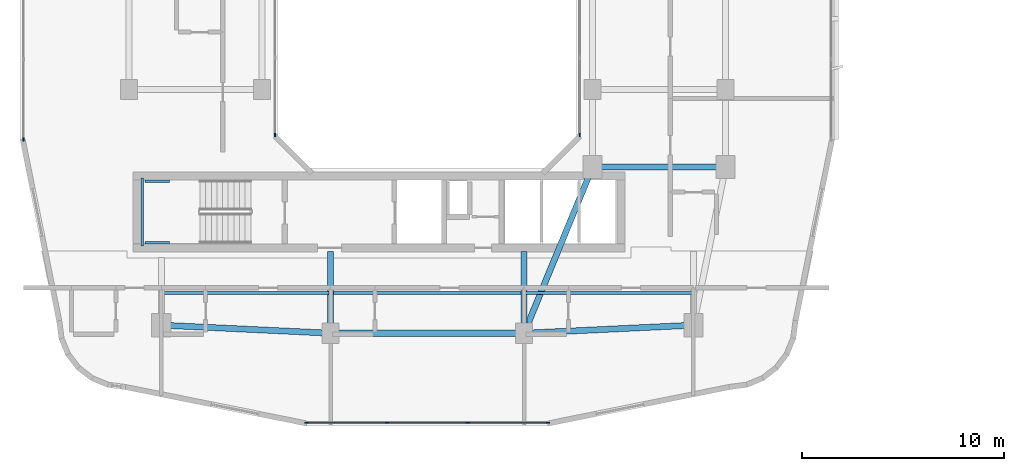
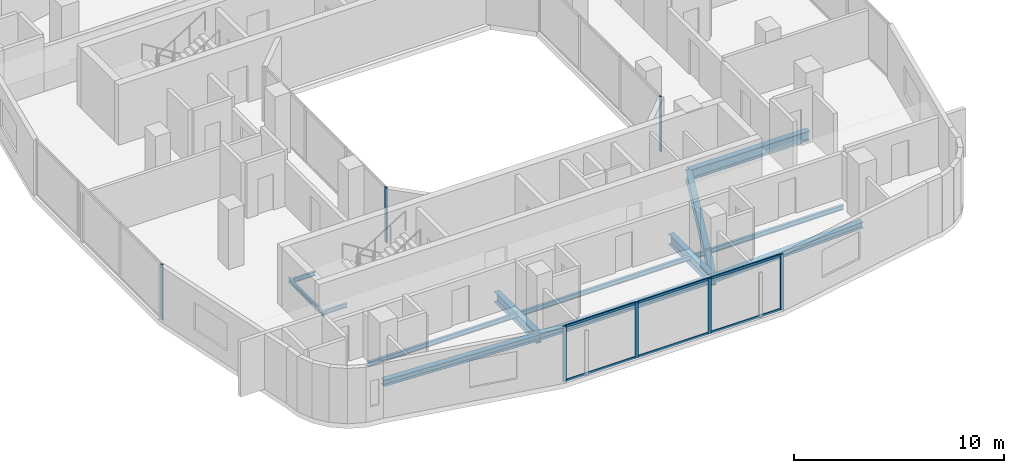
# One storey, part 2 of 26: 13 beams, 13 members, 4 elements without a shape of their own.
"""IFC4 building model written with IfcOpenShell, lengths in metres."""

from ifc_helpers import new_model, si_unit, derived_unit, direction, frame, origin, origin_2d, place, context, subcontext, project, spatial, rectangle, i_section, extrude, material, layer, layer_set, material_profile, profile_set, type_object, element, aggregate, save


model = new_model("IFC4")

# Units and contexts
model_context = context("Model", 3, precision=1e-05, world=origin(), true_north=direction((0.0, 1.0)))
body_context = subcontext(model_context, "Body", "Model", "MODEL_VIEW")
ifc_project = project(units=[si_unit("LENGTHUNIT", "METRE"), si_unit("AREAUNIT", "SQUARE_METRE"), si_unit("VOLUMEUNIT", "CUBIC_METRE"), si_unit("PLANEANGLEUNIT", "RADIAN"), si_unit("MASSUNIT", "GRAM", prefix="KILO"), derived_unit("THERMALTRANSMITTANCEUNIT", [(si_unit("POWERUNIT", "WATT"), 1), (si_unit("LENGTHUNIT", "METRE"), -2), (si_unit("THERMODYNAMICTEMPERATUREUNIT", "KELVIN"), -1)])], contexts=[model_context])

# Site, building, storey
site_placement = place(None, origin())
site = spatial("IfcSite", under=ifc_project, at=site_placement, CompositionType="ELEMENT")
building_placement = place(site_placement, origin())
building = spatial("IfcBuilding", under=site, at=building_placement, Name="Kivonza Crest Hotel", CompositionType="ELEMENT")
storey_placement = place(building_placement, frame((0.0, 0.0, 98.5)))
storey = spatial("IfcBuildingStorey", under=building, at=storey_placement, Name="L26", CompositionType="ELEMENT", Elevation=98.5)

# Beams
ifc_material_1 = material(Name="Steel S355", Category="steel")
ifc_material_profile_1 = material_profile(ifc_material_1, i_section(OverallWidth=0.300048828125, OverallDepth=0.360107421875, WebThickness=0.012451171875, FlangeThickness=0.0224609375, FilletRadius=0.027099609375, at=origin_2d()), Name="HEB 360")
ifc_profile_set_1 = profile_set([ifc_material_profile_1], Name="Steel S355")
beam_type_1 = type_object("IfcBeamType", Name="BM-HEB360", PredefinedType="SPANDREL", material=ifc_profile_set_1)
beam_1_placement = place(storey_placement, frame((16.199951171875, 9.39990234375, -0.4599609375), z_axis=(1.0, 0.0, 0.0), x_axis=(0.0, 1.0, 0.0)))
element("IfcBeam", 1, at=beam_1_placement, inside=storey, type_object=beam_type_1, Name="Tower T1 L26 perimeter spandrel S1-S2", PredefinedType="SPANDREL", context=body_context, shape_type="SweptSolid", body=[
    extrude(i_section(OverallWidth=0.300048828125, OverallDepth=0.360107421875, WebThickness=0.012451171875, FlangeThickness=0.0224609375, FilletRadius=0.027099609375, at=origin_2d()), origin(), (0.0, 0.0, 1.0), 9.60009765625),
])
for number, where, z_axis, x_axis, name in (
    (2, (25.800048828125, 9.39990234375, -0.4599609375), (0.998867283688, 0.047583080799, 0.0), (-0.047583080799, 0.998867283688, 0.0), "Tower T1 L26 perimeter spandrel S2-SE"),
    (3, (7.800048828125, 9.800048828125, -0.4599609375), (0.998867283688, -0.047583080799, 0.0), (0.047583080799, 0.998867283688, 0.0), "Tower T1 L26 perimeter spandrel SW-S1"),
):
    element("IfcBeam", number, at=place(storey_placement, frame(where, z_axis=z_axis, x_axis=x_axis)), inside=storey, type_object=beam_type_1, Name=name, PredefinedType="SPANDREL", context=body_context, shape_type="SweptSolid", body=[
        extrude(i_section(OverallWidth=0.300048828125, OverallDepth=0.360107421875, WebThickness=0.012451171875, FlangeThickness=0.0224609375, FilletRadius=0.027099609375, at=origin_2d()), origin(), (0.0, 0.0, 1.0), 8.409423828125),
    ])
ifc_material_profile_2 = material_profile(ifc_material_1, i_section(OverallWidth=0.300048828125, OverallDepth=0.60009765625, WebThickness=0.015380859375, FlangeThickness=0.030029296875, FilletRadius=0.027099609375, at=origin_2d()), Name="HEB 600")
ifc_profile_set_2 = profile_set([ifc_material_profile_2], Name="Steel S355")
beam_type_2 = type_object("IfcBeamType", Name="BM-HEB600", PredefinedType="BEAM", material=ifc_profile_set_2)
beam_2_placement = place(storey_placement, frame((25.800048828125, 9.39990234375, -0.580078125), z_axis=(0.381022260404, 0.924565864109, 0.0), x_axis=(-0.924565864109, 0.381022260404, 0.0)))
element("IfcBeam", 4, at=beam_2_placement, inside=storey, type_object=beam_type_2, Name="Tower T1 L26 primary girder S1-TSE", PredefinedType="BEAM", context=body_context, shape_type="SweptSolid", body=[
    extrude(i_section(OverallWidth=0.300048828125, OverallDepth=0.60009765625, WebThickness=0.015380859375, FlangeThickness=0.030029296875, FilletRadius=0.027099609375, at=origin_2d()), origin(), (0.0, 0.0, 1.0), 8.923095703125),
])
beam_3_placement = place(storey_placement, frame((29.199951171875, 17.64990234375, -0.580078125), z_axis=(1.0, 0.0, 0.0), x_axis=(0.0, 1.0, 0.0)))
element("IfcBeam", 5, at=beam_3_placement, inside=storey, type_object=beam_type_2, Name="Tower T1 L26 primary girder TSE-PSE", PredefinedType="BEAM", context=body_context, shape_type="SweptSolid", body=[
    extrude(i_section(OverallWidth=0.300048828125, OverallDepth=0.60009765625, WebThickness=0.015380859375, FlangeThickness=0.030029296875, FilletRadius=0.027099609375, at=origin_2d()), origin(), (0.0, 0.0, 1.0), 6.60009765625),
])
for number, where, z_axis, x_axis, name in (
    (6, (16.199951171875, 9.39990234375, -0.580078125), (0.0, 1.0, 0.0), (-1.0, 0.0, 0.0), "Tower T1 L26 radial core girder RS1"),
    (7, (25.800048828125, 9.39990234375, -0.580078125), (0.0, 1.0, 0.0), (-1.0, 0.0, 0.0), "Tower T1 L26 radial core girder RS2"),
):
    element("IfcBeam", number, at=place(storey_placement, frame(where, z_axis=z_axis, x_axis=x_axis)), inside=storey, type_object=beam_type_2, Name=name, PredefinedType="BEAM", context=body_context, shape_type="SweptSolid", body=[
        extrude(i_section(OverallWidth=0.300048828125, OverallDepth=0.60009765625, WebThickness=0.015380859375, FlangeThickness=0.030029296875, FilletRadius=0.027099609375, at=origin_2d()), origin(), (0.0, 0.0, 1.0), 4.050048828125),
    ])
ifc_material_profile_3 = material_profile(ifc_material_1, i_section(OverallWidth=0.135009765625, OverallDepth=0.27001953125, WebThickness=0.006591796875, FlangeThickness=0.01025390625, FilletRadius=0.014892578125, at=origin_2d()), Name="IPE 270")
ifc_profile_set_3 = profile_set([ifc_material_profile_3], Name="Steel S355")
beam_type_3 = type_object("IfcBeamType", Name="BM-IPE270", PredefinedType="JOIST", material=ifc_profile_set_3)
beam_4_placement = place(storey_placement, frame((7.8798828125, 11.39990234375, -0.4150390625), z_axis=(1.0, 0.0, 0.0), x_axis=(0.0, 1.0, 0.0)))
element("IfcBeam", 8, at=beam_4_placement, inside=storey, type_object=beam_type_3, Name="Tower T1 L26 South-West floor joist", PredefinedType="JOIST", context=body_context, shape_type="SweptSolid", body=[
    extrude(i_section(OverallWidth=0.135009765625, OverallDepth=0.27001953125, WebThickness=0.006591796875, FlangeThickness=0.01025390625, FilletRadius=0.014892578125, at=origin_2d()), origin(), (0.0, 0.0, 1.0), 8.240234375),
])
beam_5_placement = place(storey_placement, frame((16.280029296875, 11.39990234375, -0.4150390625), z_axis=(1.0, 0.0, 0.0), x_axis=(0.0, 1.0, 0.0)))
element("IfcBeam", 9, at=beam_5_placement, inside=storey, type_object=beam_type_3, Name="Tower T1 L26 South-Mid floor joist", PredefinedType="JOIST", context=body_context, shape_type="SweptSolid", body=[
    extrude(i_section(OverallWidth=0.135009765625, OverallDepth=0.27001953125, WebThickness=0.006591796875, FlangeThickness=0.01025390625, FilletRadius=0.014892578125, at=origin_2d()), origin(), (0.0, 0.0, 1.0), 9.43994140625),
])
beam_6_placement = place(storey_placement, frame((25.8798828125, 11.39990234375, -0.4150390625), z_axis=(1.0, 0.0, 0.0), x_axis=(0.0, 1.0, 0.0)))
element("IfcBeam", 10, at=beam_6_placement, inside=storey, type_object=beam_type_3, Name="Tower T1 L26 South-East floor joist", PredefinedType="JOIST", context=body_context, shape_type="SweptSolid", body=[
    extrude(i_section(OverallWidth=0.135009765625, OverallDepth=0.27001953125, WebThickness=0.006591796875, FlangeThickness=0.01025390625, FilletRadius=0.014892578125, at=origin_2d()), origin(), (0.0, 0.0, 1.0), 8.240234375),
])
ifc_material_profile_4 = material_profile(ifc_material_1, i_section(OverallWidth=0.1201171875, OverallDepth=0.239990234375, WebThickness=0.006103515625, FlangeThickness=0.009765625, FilletRadius=0.014892578125, at=origin_2d()), Name="IPE 240")
ifc_profile_set_4 = profile_set([ifc_material_profile_4], Name="Steel S355")
beam_type_4 = type_object("IfcBeamType", Name="BM-LLDG-240", PredefinedType="BEAM", material=ifc_profile_set_4)
beam_7_placement = place(storey_placement, frame((6.860107421875, 13.739990234375, 1.429931640625), z_axis=(0.0, 1.0, 0.0), x_axis=(-1.0, 0.0, 0.0)))
element("IfcBeam", 11, at=beam_7_placement, inside=storey, type_object=beam_type_4, Name="Stair ST-T1-S L26 West landing corbel", PredefinedType="BEAM", context=body_context, shape_type="SweptSolid", body=[
    extrude(i_section(OverallWidth=0.1201171875, OverallDepth=0.239990234375, WebThickness=0.006103515625, FlangeThickness=0.009765625, FilletRadius=0.014892578125, at=origin_2d()), origin(), (0.0, 0.0, 1.0), 3.360107421875),
])
for number, where, z_axis, x_axis, name in (
    (12, (6.989990234375, 13.89990234375, 1.429931640625), (1.0, 0.0, 0.0), (0.0, 1.0, 0.0), "Stair ST-T1-S L26 South landing corbel"),
    (13, (6.989990234375, 16.93994140625, 1.429931640625), (1.0, 0.0, 0.0), (0.0, 1.0, 0.0), "Stair ST-T1-S L26 North landing corbel"),
):
    element("IfcBeam", number, at=place(storey_placement, frame(where, z_axis=z_axis, x_axis=x_axis)), inside=storey, type_object=beam_type_4, Name=name, PredefinedType="BEAM", context=body_context, shape_type="SweptSolid", body=[
        extrude(i_section(OverallWidth=0.1201171875, OverallDepth=0.239990234375, WebThickness=0.006103515625, FlangeThickness=0.009765625, FilletRadius=0.014892578125, at=origin_2d()), origin(), (0.0, 0.0, 1.0), 1.2099609375),
    ])

# Curtain wall, members
ifc_material_2 = material(Name="Anodised bronze aluminium and low-E double glazing", Category="aluminium")
ifc_layer_1 = layer(ifc_material_2, 0.179931640625)
ifc_layer_set_1 = layer_set([ifc_layer_1], Name="Anodised bronze aluminium and low-E double glazing")
curtain_wall_type_1 = type_object("IfcCurtainWallType", Name="CW-SYS-2", PredefinedType="NOTDEFINED", material=ifc_layer_set_1)
curtain_wall_1_placement = place(storey_placement, origin())
curtain_wall_1 = element("IfcCurtainWall", 14, at=curtain_wall_1_placement, inside=storey, type_object=curtain_wall_type_1, Name="L26 unitised curtain wall CW-T1-L26-08", PredefinedType="NOTDEFINED")
ifc_material_3 = material(Name="Anodised bronze aluminium", Category="aluminium")
ifc_material_profile_5 = material_profile(ifc_material_3, rectangle(XDim=0.06494140625, YDim=0.179931640625, at=origin_2d()), Name="CW-M 65x180")
ifc_profile_set_5 = profile_set([ifc_material_profile_5], Name="Anodised bronze aluminium")
member_type_1 = type_object("IfcMemberType", Name="CW-MUL-65x180", PredefinedType="MULLION", material=ifc_profile_set_5)
member_1_placement = place(storey_placement, frame((15.012451171875, 4.9599609375, 0.0), z_axis=(0.0, 0.0, 1.0), x_axis=(0.0, 1.0, 0.0)))
member_1 = element("IfcMember", 15, at=member_1_placement, type_object=member_type_1, Name="CW-2 mullion 1", PredefinedType="MULLION", context=body_context, shape_type="SweptSolid", body=[
    extrude(rectangle(XDim=0.06494140625, YDim=0.179931640625, at=origin_2d()), origin(), (0.0, 0.0, 1.0), 3.219970703125),
])
member_2_placement = place(storey_placement, frame((18.993408203125, 4.9599609375, 0.0), z_axis=(0.0, 0.0, 1.0), x_axis=(0.0, 1.0, 0.0)))
member_2 = element("IfcMember", 16, at=member_2_placement, type_object=member_type_1, Name="CW-2 mullion 2", PredefinedType="MULLION", context=body_context, shape_type="SweptSolid", body=[
    extrude(rectangle(XDim=0.06494140625, YDim=0.179931640625, at=origin_2d()), origin(), (0.0, 0.0, 1.0), 3.219970703125),
])
member_3_placement = place(storey_placement, frame((23.006591796875, 4.9599609375, 0.0), z_axis=(0.0, 0.0, 1.0), x_axis=(0.0, 1.0, 0.0)))
member_3 = element("IfcMember", 17, at=member_3_placement, type_object=member_type_1, Name="CW-2 mullion 3", PredefinedType="MULLION", context=body_context, shape_type="SweptSolid", body=[
    extrude(rectangle(XDim=0.06494140625, YDim=0.179931640625, at=origin_2d()), origin(), (0.0, 0.0, 1.0), 3.219970703125),
])
member_4_placement = place(storey_placement, frame((26.987548828125, 4.9599609375, 0.0), z_axis=(0.0, 0.0, 1.0), x_axis=(0.0, 1.0, 0.0)))
member_4 = element("IfcMember", 18, at=member_4_placement, type_object=member_type_1, Name="CW-2 mullion 4", PredefinedType="MULLION", context=body_context, shape_type="SweptSolid", body=[
    extrude(rectangle(XDim=0.06494140625, YDim=0.179931640625, at=origin_2d()), origin(), (0.0, 0.0, 1.0), 3.219970703125),
])

# Curtain wall, member
curtain_wall_2_placement = place(storey_placement, origin())
curtain_wall_2 = element("IfcCurtainWall", 19, at=curtain_wall_2_placement, inside=storey, type_object=curtain_wall_type_1, Name="L26 unitised curtain wall CW-T1-L26-35", PredefinedType="NOTDEFINED")
member_5_placement = place(storey_placement, frame((0.9599609375, 19.012451171875, 0.0), z_axis=(0.0, 0.0, 1.0), x_axis=(1.0, 0.0, 0.0)))
member_5 = element("IfcMember", 20, at=member_5_placement, type_object=member_type_1, Name="CW-2 mullion 4", PredefinedType="MULLION", context=body_context, shape_type="SweptSolid", body=[
    extrude(rectangle(XDim=0.06494140625, YDim=0.179931640625, at=origin_2d()), origin(), (0.0, 0.0, 1.0), 3.219970703125),
])
aggregate(curtain_wall_2, [member_5])

ifc_layer_2 = layer(ifc_material_2, 0.159912109375)
ifc_layer_set_2 = layer_set([ifc_layer_2], Name="Anodised bronze aluminium and low-E double glazing")
curtain_wall_type_2 = type_object("IfcCurtainWallType", Name="CW-SYS-5", PredefinedType="NOTDEFINED", material=ifc_layer_set_2)
curtain_wall_3_placement = place(storey_placement, origin())
curtain_wall_3 = element("IfcCurtainWall", 21, at=curtain_wall_3_placement, inside=storey, type_object=curtain_wall_type_2, Name="L26 unitised curtain wall CW-WELL-T1-L26-3", PredefinedType="NOTDEFINED")
member_6_placement = place(storey_placement, frame((28.56005859375, 19.232421875, 0.0), z_axis=(0.0, 0.0, 1.0), x_axis=(-1.0, 0.0, 0.0)))
member_6 = element("IfcMember", 22, at=member_6_placement, type_object=member_type_1, Name="CW-5 mullion 1", PredefinedType="MULLION", context=body_context, shape_type="SweptSolid", body=[
    extrude(rectangle(XDim=0.06494140625, YDim=0.179931640625, at=origin_2d()), origin(), (0.0, 0.0, 1.0), 3.219970703125),
])
aggregate(curtain_wall_3, [member_6])

curtain_wall_4_placement = place(storey_placement, origin())
curtain_wall_4 = element("IfcCurtainWall", 23, at=curtain_wall_4_placement, inside=storey, type_object=curtain_wall_type_2, Name="L26 unitised curtain wall CW-WELL-T1-L26-7", PredefinedType="NOTDEFINED")
member_7_placement = place(storey_placement, frame((13.43994140625, 19.232421875, 0.0), z_axis=(0.0, 0.0, 1.0), x_axis=(1.0, 0.0, 0.0)))
member_7 = element("IfcMember", 24, at=member_7_placement, type_object=member_type_1, Name="CW-5 mullion 4", PredefinedType="MULLION", context=body_context, shape_type="SweptSolid", body=[
    extrude(rectangle(XDim=0.06494140625, YDim=0.179931640625, at=origin_2d()), origin(), (0.0, 0.0, 1.0), 3.219970703125),
])
aggregate(curtain_wall_4, [member_7])

# Member
ifc_material_profile_6 = material_profile(ifc_material_3, rectangle(XDim=0.06494140625, YDim=0.139892578125, at=origin_2d()), Name="CW-T 65x140")
ifc_profile_set_6 = profile_set([ifc_material_profile_6], Name="Anodised bronze aluminium")
member_type_2 = type_object("IfcMemberType", Name="CW-TRN-65x140", PredefinedType="USERDEFINED", material=ifc_profile_set_6)
member_8_placement = place(storey_placement, frame((15.044921875, 4.9599609375, 0.032470703125), z_axis=(1.0, 0.0, 0.0), x_axis=(0.0, 1.0, 0.0)))
member_8 = element("IfcMember", 25, at=member_8_placement, type_object=member_type_2, Name="CW-2 transom 1.1", ObjectType="TRANSOM", PredefinedType="USERDEFINED", context=body_context, shape_type="SweptSolid", body=[
    extrude(rectangle(XDim=0.06494140625, YDim=0.139892578125, at=origin_2d()), origin(), (0.0, 0.0, 1.0), 3.916015625),
])

member_9_placement = place(storey_placement, frame((15.044921875, 4.9599609375, 3.1875), z_axis=(1.0, 0.0, 0.0), x_axis=(0.0, 1.0, 0.0)))
member_9 = element("IfcMember", 26, at=member_9_placement, type_object=member_type_2, Name="CW-2 transom 1.2", ObjectType="TRANSOM", PredefinedType="USERDEFINED", context=body_context, shape_type="SweptSolid", body=[
    extrude(rectangle(XDim=0.06494140625, YDim=0.139892578125, at=origin_2d()), origin(), (0.0, 0.0, 1.0), 3.916015625),
])

member_10_placement = place(storey_placement, frame((19.02587890625, 4.9599609375, 0.032470703125), z_axis=(1.0, 0.0, 0.0), x_axis=(0.0, 1.0, 0.0)))
member_10 = element("IfcMember", 27, at=member_10_placement, type_object=member_type_2, Name="CW-2 transom 2.1", ObjectType="TRANSOM", PredefinedType="USERDEFINED", context=body_context, shape_type="SweptSolid", body=[
    extrude(rectangle(XDim=0.06494140625, YDim=0.139892578125, at=origin_2d()), origin(), (0.0, 0.0, 1.0), 3.9482421875),
])

member_11_placement = place(storey_placement, frame((19.02587890625, 4.9599609375, 3.1875), z_axis=(1.0, 0.0, 0.0), x_axis=(0.0, 1.0, 0.0)))
member_11 = element("IfcMember", 28, at=member_11_placement, type_object=member_type_2, Name="CW-2 transom 2.2", ObjectType="TRANSOM", PredefinedType="USERDEFINED", context=body_context, shape_type="SweptSolid", body=[
    extrude(rectangle(XDim=0.06494140625, YDim=0.139892578125, at=origin_2d()), origin(), (0.0, 0.0, 1.0), 3.9482421875),
])

member_12_placement = place(storey_placement, frame((23.0390625, 4.9599609375, 0.032470703125), z_axis=(1.0, 0.0, 0.0), x_axis=(0.0, 1.0, 0.0)))
member_12 = element("IfcMember", 29, at=member_12_placement, type_object=member_type_2, Name="CW-2 transom 3.1", ObjectType="TRANSOM", PredefinedType="USERDEFINED", context=body_context, shape_type="SweptSolid", body=[
    extrude(rectangle(XDim=0.06494140625, YDim=0.139892578125, at=origin_2d()), origin(), (0.0, 0.0, 1.0), 3.916015625),
])

member_13_placement = place(storey_placement, frame((23.0390625, 4.9599609375, 3.1875), z_axis=(1.0, 0.0, 0.0), x_axis=(0.0, 1.0, 0.0)))
member_13 = element("IfcMember", 30, at=member_13_placement, type_object=member_type_2, Name="CW-2 transom 3.2", ObjectType="TRANSOM", PredefinedType="USERDEFINED", context=body_context, shape_type="SweptSolid", body=[
    extrude(rectangle(XDim=0.06494140625, YDim=0.139892578125, at=origin_2d()), origin(), (0.0, 0.0, 1.0), 3.916015625),
])

aggregate(curtain_wall_1, [member_1, member_2, member_3, member_4, member_8, member_9, member_10, member_11, member_12, member_13])

save(model, "model.ifc")
